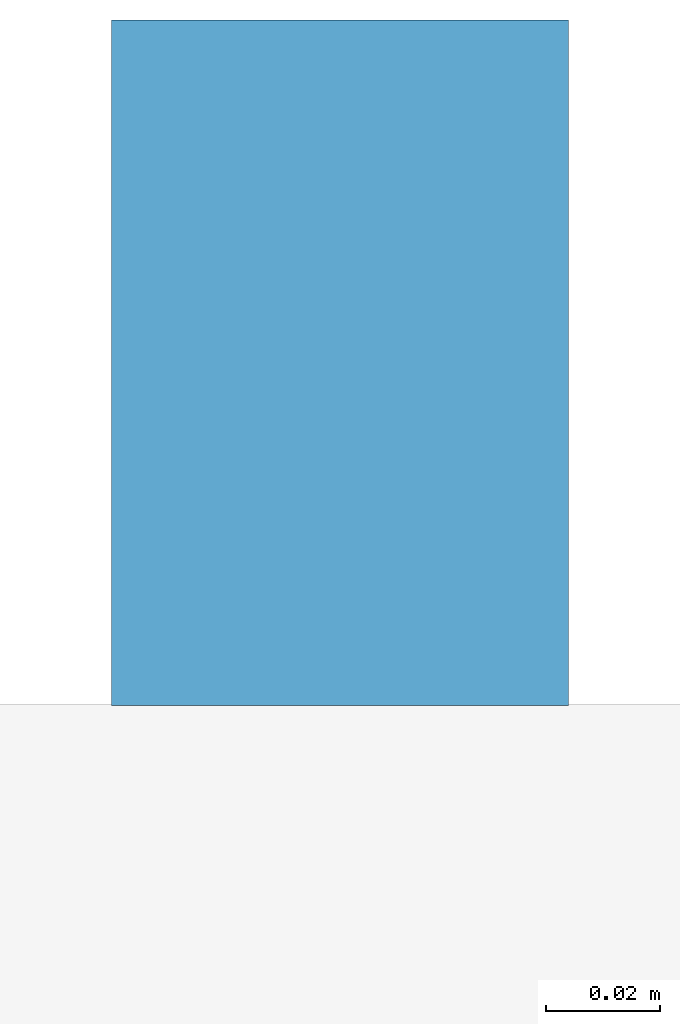
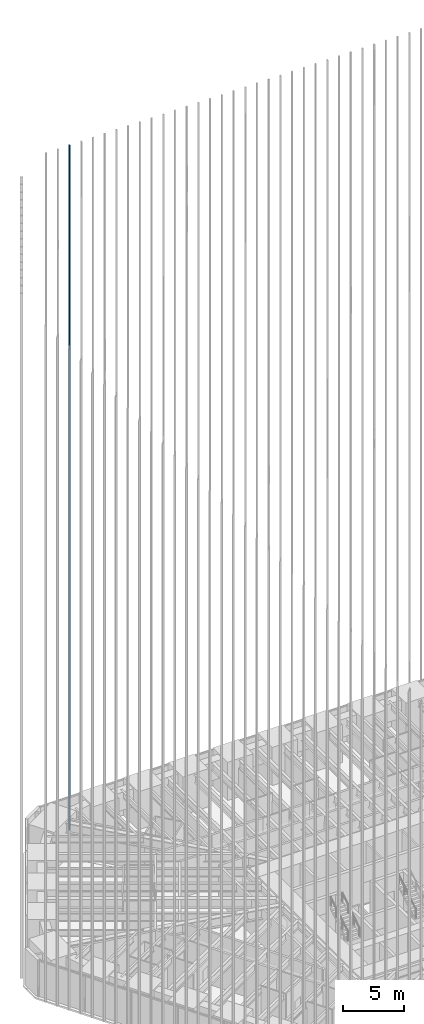
# One storey, part 165 of 256: 1 member, 1 element without a shape of its own.
"""IFC4 building model written with IfcOpenShell, lengths in metres."""

from ifc_helpers import new_model, si_unit, direction, frame, origin, origin_2d, place, context, subcontext, project, spatial, rectangle, extrude, material, material_profile, profile_set, type_object, element, aggregate, save


model = new_model("IFC4")

# Units and contexts
model_context = context("Model", 3, precision=1e-05, world=origin(), true_north=direction((0.0, 1.0)))
body_context = subcontext(model_context, "Body", "Model", "MODEL_VIEW")
ifc_project = project(units=[si_unit("LENGTHUNIT", "METRE"), si_unit("AREAUNIT", "SQUARE_METRE"), si_unit("VOLUMEUNIT", "CUBIC_METRE"), si_unit("PLANEANGLEUNIT", "RADIAN"), si_unit("MASSUNIT", "GRAM", prefix="KILO")], contexts=[model_context])

# Site, building, storey
site_placement = place(None, origin())
site = spatial("IfcSite", under=ifc_project, at=site_placement, CompositionType="ELEMENT")
building_placement = place(site_placement, origin())
building = spatial("IfcBuilding", under=site, at=building_placement, Name="Sandreach Pilgrim Tower", CompositionType="ELEMENT")
storey_placement = place(building_placement, frame((0.0, 0.0, 23.0)))
storey = spatial("IfcBuildingStorey", under=building, at=storey_placement, Name="L04", CompositionType="ELEMENT", Elevation=23.0)

# Curtain wall, member
ifc_material_1 = material(Name="Aluminium framed curtain wall", Category="aluminium")
curtain_wall_type = type_object("IfcCurtainWallType", Name="Hostel tower curtain wall", PredefinedType="NOTDEFINED", material=ifc_material_1)
curtain_wall_placement = place(storey_placement, origin())
curtain_wall = element("IfcCurtainWall", 1, at=curtain_wall_placement, inside=storey, type_object=curtain_wall_type, Name="CW-1 L04 N", PredefinedType="NOTDEFINED")
ifc_material_2 = material(Name="Extruded terracotta on aluminium core", Category="masonry")
ifc_material_profile = material_profile(ifc_material_2, rectangle(XDim=0.080078125, YDim=0.1201171875, at=origin_2d()), Name="TBN 80X120")
ifc_profile_set = profile_set([ifc_material_profile], Name="Extruded terracotta on aluminium core")
member_type = type_object("IfcMemberType", Name="Terracotta baguette north", PredefinedType="USERDEFINED", material=ifc_profile_set)
member_placement = place(storey_placement, frame((-16.566650390625, 24.30859375, 0.0), z_axis=(0.0, 0.0, 1.0), x_axis=(1.0, 0.0, 0.0)))
member = element("IfcMember", 2, at=member_placement, type_object=member_type, Name="Baguette Z1 N03", ObjectType="BAGUETTE", PredefinedType="USERDEFINED", context=body_context, shape_type="SweptSolid", body=[
    extrude(rectangle(XDim=0.080078125, YDim=0.1201171875, at=origin_2d()), origin(), (0.0, 0.0, 1.0), 68.239990234375),
])
aggregate(curtain_wall, [member])

save(model, "model.ifc")
